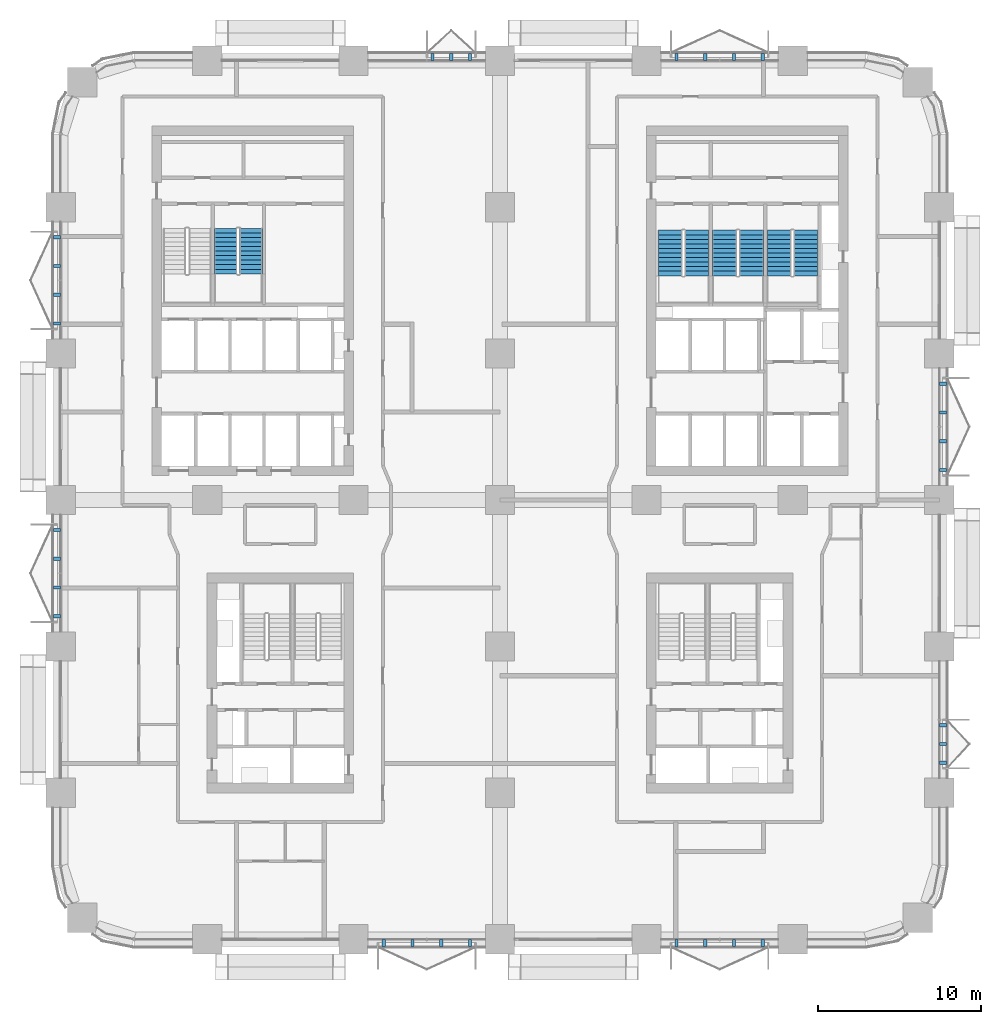
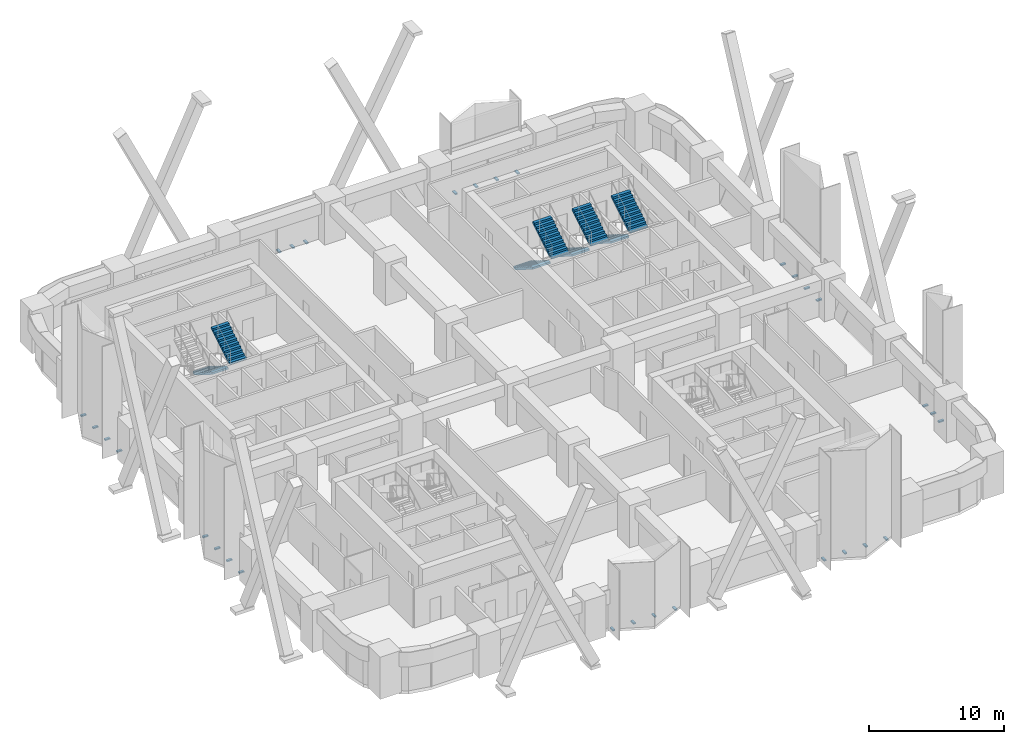
# One storey, part 23 of 26: 30 discrete accessories, 8 stair flights, 4 elements without a shape of their own.
"""IFC4 building model written with IfcOpenShell, lengths in metres."""

from ifc_helpers import new_model, si_unit, direction, frame, origin, origin_2d, place, context, subcontext, project, spatial, polyline, rectangle, outline, extrude, material, type_object, element, aggregate, save


model = new_model("IFC4")

# Units and contexts
model_context = context("Model", 3, precision=1e-05, world=origin(), true_north=direction((0.0, 1.0)))
body_context = subcontext(model_context, "Body", "Model", "MODEL_VIEW")
ifc_project = project(units=[si_unit("LENGTHUNIT", "METRE"), si_unit("AREAUNIT", "SQUARE_METRE"), si_unit("VOLUMEUNIT", "CUBIC_METRE"), si_unit("PLANEANGLEUNIT", "RADIAN"), si_unit("MASSUNIT", "GRAM", prefix="KILO")], contexts=[model_context])

# Site, building, storey
site_placement = place(None, origin())
site = spatial("IfcSite", under=ifc_project, at=site_placement, CompositionType="ELEMENT")
building_placement = place(site_placement, origin())
building = spatial("IfcBuilding", under=site, at=building_placement, Name="Tessera Arch", CompositionType="ELEMENT")
storey_placement = place(building_placement, frame((0.0, 0.0, 31.0)))
storey = spatial("IfcBuildingStorey", under=building, at=storey_placement, Name="L05", CompositionType="ELEMENT", Elevation=31.0)

# Stair, stair flights
ifc_material_1 = material(Name="Concrete C40/50", Category="concrete")
stair_type_1 = type_object("IfcStairType", Name="Dogleg stair 1400", PredefinedType="HALF_TURN_STAIR", material=ifc_material_1)
stair_1_placement = place(storey_placement, origin())
stair_1 = element("IfcStair", 1, at=stair_1_placement, inside=storey, type_object=stair_type_1, Name="L05 S2b", PredefinedType="HALF_TURN_STAIR")
ifc_material_2 = material(Name="Concrete C40/50", Category="concrete")
stair_flight_type_1 = type_object("IfcStairFlightType", Name="Stair flight 1400", PredefinedType="STRAIGHT", material=ifc_material_2)
stair_flight_1_placement = place(storey_placement, frame((10.14990234375, 43.699951171875, 0.0), z_axis=(0.0, 0.0, 1.0), x_axis=(0.0, -1.0, 0.0)))
stair_flight_1 = element("IfcStairFlight", 2, at=stair_flight_1_placement, type_object=stair_flight_type_1, Name="S2b flight 1", NumberOfRisers=11, NumberOfTreads=10, PredefinedType="STRAIGHT", RiserHeight=0.172727273, TreadLength=0.28, context=body_context, shape_type="SweptSolid", body=[
    extrude(outline(polyline([(0.0, 0.0), (0.0, 0.172607421875), (0.280029296875, 0.172607421875), (0.280029296875, 0.345458984375), (0.56005859375, 0.345458984375), (0.56005859375, 0.51806640625), (0.840087890625, 0.51806640625), (0.840087890625, 0.69091796875), (1.1201171875, 0.69091796875), (1.1201171875, 0.863525390625), (1.39990234375, 0.863525390625), (1.39990234375, 1.036376953125), (1.679931640625, 1.036376953125), (1.679931640625, 1.208984375), (1.9599609375, 1.208984375), (1.9599609375, 1.3818359375), (2.239990234375, 1.3818359375), (2.239990234375, 1.554443359375), (2.52001953125, 1.554443359375), (2.52001953125, 1.727294921875), (2.800048828125, 1.727294921875), (2.800048828125, 1.89990234375), (2.800048828125, 1.551025390625), (0.285400390625, 0.0), (0.0, 0.0)])), frame((0.0, 0.699951171875, 0.0), z_axis=(0.0, -1.0, 0.0), x_axis=(1.0, 0.0, 0.0)), (0.0, 0.0, 1.0), 1.39990234375),
])
stair_flight_2_placement = place(storey_placement, frame((11.699951171875, 40.89990234375, 1.89990234375), z_axis=(0.0, 0.0, 1.0), x_axis=(0.0, 1.0, 0.0)))
stair_flight_2 = element("IfcStairFlight", 3, at=stair_flight_2_placement, type_object=stair_flight_type_1, Name="S2b flight 2", NumberOfRisers=11, NumberOfTreads=10, PredefinedType="STRAIGHT", RiserHeight=0.172727273, TreadLength=0.28, context=body_context, shape_type="SweptSolid", body=[
    extrude(outline(polyline([(0.0, 0.0), (0.0, 0.172607421875), (0.280029296875, 0.172607421875), (0.280029296875, 0.345458984375), (0.56005859375, 0.345458984375), (0.56005859375, 0.51806640625), (0.840087890625, 0.51806640625), (0.840087890625, 0.69091796875), (1.1201171875, 0.69091796875), (1.1201171875, 0.863525390625), (1.39990234375, 0.863525390625), (1.39990234375, 1.036376953125), (1.679931640625, 1.036376953125), (1.679931640625, 1.208984375), (1.9599609375, 1.208984375), (1.9599609375, 1.3818359375), (2.239990234375, 1.3818359375), (2.239990234375, 1.554443359375), (2.52001953125, 1.554443359375), (2.52001953125, 1.727294921875), (2.800048828125, 1.727294921875), (2.800048828125, 1.89990234375), (2.800048828125, 1.551025390625), (0.285400390625, 0.0), (0.0, 0.0)])), frame((0.0, 0.699951171875, 0.0), z_axis=(0.0, -1.0, 0.0), x_axis=(1.0, 0.0, 0.0)), (0.0, 0.0, 1.0), 1.39990234375),
])
aggregate(stair_1, [stair_flight_1, stair_flight_2])

ifc_material_3 = material(Name="Concrete C40/50", Category="concrete")
stair_type_2 = type_object("IfcStairType", Name="Dogleg stair 1520", PredefinedType="HALF_TURN_STAIR", material=ifc_material_3)
stair_2_placement = place(storey_placement, origin())
stair_2 = element("IfcStair", 4, at=stair_2_placement, inside=storey, type_object=stair_type_2, Name="L05 S1a", PredefinedType="HALF_TURN_STAIR")
ifc_material_4 = material(Name="Concrete C40/50", Category="concrete")
stair_flight_type_2 = type_object("IfcStairFlightType", Name="Stair flight 1520", PredefinedType="STRAIGHT", material=ifc_material_4)
stair_flight_3_placement = place(storey_placement, frame((37.4599609375, 43.580078125, 0.0), z_axis=(0.0, 0.0, 1.0), x_axis=(0.0, -1.0, 0.0)))
stair_flight_3 = element("IfcStairFlight", 5, at=stair_flight_3_placement, type_object=stair_flight_type_2, Name="S1a flight 1", NumberOfRisers=11, NumberOfTreads=10, PredefinedType="STRAIGHT", RiserHeight=0.172727273, TreadLength=0.28, context=body_context, shape_type="SweptSolid", body=[
    extrude(outline(polyline([(0.0, 0.0), (0.0, 0.172607421875), (0.280029296875, 0.172607421875), (0.280029296875, 0.345458984375), (0.56005859375, 0.345458984375), (0.56005859375, 0.51806640625), (0.840087890625, 0.51806640625), (0.840087890625, 0.69091796875), (1.1201171875, 0.69091796875), (1.1201171875, 0.863525390625), (1.39990234375, 0.863525390625), (1.39990234375, 1.036376953125), (1.679931640625, 1.036376953125), (1.679931640625, 1.208984375), (1.9599609375, 1.208984375), (1.9599609375, 1.3818359375), (2.239990234375, 1.3818359375), (2.239990234375, 1.554443359375), (2.52001953125, 1.554443359375), (2.52001953125, 1.727294921875), (2.800048828125, 1.727294921875), (2.800048828125, 1.89990234375), (2.800048828125, 1.551025390625), (0.285400390625, 0.0), (0.0, 0.0)])), frame((0.0, 0.760009765625, 0.0), z_axis=(0.0, -1.0, 0.0), x_axis=(1.0, 0.0, 0.0)), (0.0, 0.0, 1.0), 1.52001953125),
])
stair_flight_4_placement = place(storey_placement, frame((39.090087890625, 40.780029296875, 1.89990234375), z_axis=(0.0, 0.0, 1.0), x_axis=(0.0, 1.0, 0.0)))
stair_flight_4 = element("IfcStairFlight", 6, at=stair_flight_4_placement, type_object=stair_flight_type_2, Name="S1a flight 2", NumberOfRisers=11, NumberOfTreads=10, PredefinedType="STRAIGHT", RiserHeight=0.172727273, TreadLength=0.28, context=body_context, shape_type="SweptSolid", body=[
    extrude(outline(polyline([(0.0, 0.0), (0.0, 0.172607421875), (0.280029296875, 0.172607421875), (0.280029296875, 0.345458984375), (0.56005859375, 0.345458984375), (0.56005859375, 0.51806640625), (0.840087890625, 0.51806640625), (0.840087890625, 0.69091796875), (1.1201171875, 0.69091796875), (1.1201171875, 0.863525390625), (1.39990234375, 0.863525390625), (1.39990234375, 1.036376953125), (1.679931640625, 1.036376953125), (1.679931640625, 1.208984375), (1.9599609375, 1.208984375), (1.9599609375, 1.3818359375), (2.239990234375, 1.3818359375), (2.239990234375, 1.554443359375), (2.52001953125, 1.554443359375), (2.52001953125, 1.727294921875), (2.800048828125, 1.727294921875), (2.800048828125, 1.89990234375), (2.800048828125, 1.551025390625), (0.285400390625, 0.0), (0.0, 0.0)])), frame((0.0, 0.760009765625, 0.0), z_axis=(0.0, -1.0, 0.0), x_axis=(1.0, 0.0, 0.0)), (0.0, 0.0, 1.0), 1.52001953125),
])
aggregate(stair_2, [stair_flight_3, stair_flight_4])

stair_3_placement = place(storey_placement, origin())
stair_3 = element("IfcStair", 7, at=stair_3_placement, inside=storey, type_object=stair_type_2, Name="L05 S1b", PredefinedType="HALF_TURN_STAIR")
stair_flight_5_placement = place(storey_placement, frame((40.81005859375, 43.580078125, 0.0), z_axis=(0.0, 0.0, 1.0), x_axis=(0.0, -1.0, 0.0)))
stair_flight_5 = element("IfcStairFlight", 8, at=stair_flight_5_placement, type_object=stair_flight_type_2, Name="S1b flight 1", NumberOfRisers=11, NumberOfTreads=10, PredefinedType="STRAIGHT", RiserHeight=0.172727273, TreadLength=0.28, context=body_context, shape_type="SweptSolid", body=[
    extrude(outline(polyline([(0.0, 0.0), (0.0, 0.172607421875), (0.280029296875, 0.172607421875), (0.280029296875, 0.345458984375), (0.56005859375, 0.345458984375), (0.56005859375, 0.51806640625), (0.840087890625, 0.51806640625), (0.840087890625, 0.69091796875), (1.1201171875, 0.69091796875), (1.1201171875, 0.863525390625), (1.39990234375, 0.863525390625), (1.39990234375, 1.036376953125), (1.679931640625, 1.036376953125), (1.679931640625, 1.208984375), (1.9599609375, 1.208984375), (1.9599609375, 1.3818359375), (2.239990234375, 1.3818359375), (2.239990234375, 1.554443359375), (2.52001953125, 1.554443359375), (2.52001953125, 1.727294921875), (2.800048828125, 1.727294921875), (2.800048828125, 1.89990234375), (2.800048828125, 1.551025390625), (0.285400390625, 0.0), (0.0, 0.0)])), frame((0.0, 0.760009765625, 0.0), z_axis=(0.0, -1.0, 0.0), x_axis=(1.0, 0.0, 0.0)), (0.0, 0.0, 1.0), 1.52001953125),
])
stair_flight_6_placement = place(storey_placement, frame((42.43994140625, 40.780029296875, 1.89990234375), z_axis=(0.0, 0.0, 1.0), x_axis=(0.0, 1.0, 0.0)))
stair_flight_6 = element("IfcStairFlight", 9, at=stair_flight_6_placement, type_object=stair_flight_type_2, Name="S1b flight 2", NumberOfRisers=11, NumberOfTreads=10, PredefinedType="STRAIGHT", RiserHeight=0.172727273, TreadLength=0.28, context=body_context, shape_type="SweptSolid", body=[
    extrude(outline(polyline([(0.0, 0.0), (0.0, 0.172607421875), (0.280029296875, 0.172607421875), (0.280029296875, 0.345458984375), (0.56005859375, 0.345458984375), (0.56005859375, 0.51806640625), (0.840087890625, 0.51806640625), (0.840087890625, 0.69091796875), (1.1201171875, 0.69091796875), (1.1201171875, 0.863525390625), (1.39990234375, 0.863525390625), (1.39990234375, 1.036376953125), (1.679931640625, 1.036376953125), (1.679931640625, 1.208984375), (1.9599609375, 1.208984375), (1.9599609375, 1.3818359375), (2.239990234375, 1.3818359375), (2.239990234375, 1.554443359375), (2.52001953125, 1.554443359375), (2.52001953125, 1.727294921875), (2.800048828125, 1.727294921875), (2.800048828125, 1.89990234375), (2.800048828125, 1.551025390625), (0.285400390625, 0.0), (0.0, 0.0)])), frame((0.0, 0.760009765625, 0.0), z_axis=(0.0, -1.0, 0.0), x_axis=(1.0, 0.0, 0.0)), (0.0, 0.0, 1.0), 1.52001953125),
])
aggregate(stair_3, [stair_flight_5, stair_flight_6])

stair_4_placement = place(storey_placement, origin())
stair_4 = element("IfcStair", 10, at=stair_4_placement, inside=storey, type_object=stair_type_2, Name="L05 S1c", PredefinedType="HALF_TURN_STAIR")
stair_flight_7_placement = place(storey_placement, frame((44.159912109375, 43.580078125, 0.0), z_axis=(0.0, 0.0, 1.0), x_axis=(0.0, -1.0, 0.0)))
stair_flight_7 = element("IfcStairFlight", 11, at=stair_flight_7_placement, type_object=stair_flight_type_2, Name="S1c flight 1", NumberOfRisers=11, NumberOfTreads=10, PredefinedType="STRAIGHT", RiserHeight=0.172727273, TreadLength=0.28, context=body_context, shape_type="SweptSolid", body=[
    extrude(outline(polyline([(0.0, 0.0), (0.0, 0.172607421875), (0.280029296875, 0.172607421875), (0.280029296875, 0.345458984375), (0.56005859375, 0.345458984375), (0.56005859375, 0.51806640625), (0.840087890625, 0.51806640625), (0.840087890625, 0.69091796875), (1.1201171875, 0.69091796875), (1.1201171875, 0.863525390625), (1.39990234375, 0.863525390625), (1.39990234375, 1.036376953125), (1.679931640625, 1.036376953125), (1.679931640625, 1.208984375), (1.9599609375, 1.208984375), (1.9599609375, 1.3818359375), (2.239990234375, 1.3818359375), (2.239990234375, 1.554443359375), (2.52001953125, 1.554443359375), (2.52001953125, 1.727294921875), (2.800048828125, 1.727294921875), (2.800048828125, 1.89990234375), (2.800048828125, 1.551025390625), (0.285400390625, 0.0), (0.0, 0.0)])), frame((0.0, 0.760009765625, 0.0), z_axis=(0.0, -1.0, 0.0), x_axis=(1.0, 0.0, 0.0)), (0.0, 0.0, 1.0), 1.52001953125),
])
stair_flight_8_placement = place(storey_placement, frame((45.7900390625, 40.780029296875, 1.89990234375), z_axis=(0.0, 0.0, 1.0), x_axis=(0.0, 1.0, 0.0)))
stair_flight_8 = element("IfcStairFlight", 12, at=stair_flight_8_placement, type_object=stair_flight_type_2, Name="S1c flight 2", NumberOfRisers=11, NumberOfTreads=10, PredefinedType="STRAIGHT", RiserHeight=0.172727273, TreadLength=0.28, context=body_context, shape_type="SweptSolid", body=[
    extrude(outline(polyline([(0.0, 0.0), (0.0, 0.172607421875), (0.280029296875, 0.172607421875), (0.280029296875, 0.345458984375), (0.56005859375, 0.345458984375), (0.56005859375, 0.51806640625), (0.840087890625, 0.51806640625), (0.840087890625, 0.69091796875), (1.1201171875, 0.69091796875), (1.1201171875, 0.863525390625), (1.39990234375, 0.863525390625), (1.39990234375, 1.036376953125), (1.679931640625, 1.036376953125), (1.679931640625, 1.208984375), (1.9599609375, 1.208984375), (1.9599609375, 1.3818359375), (2.239990234375, 1.3818359375), (2.239990234375, 1.554443359375), (2.52001953125, 1.554443359375), (2.52001953125, 1.727294921875), (2.800048828125, 1.727294921875), (2.800048828125, 1.89990234375), (2.800048828125, 1.551025390625), (0.285400390625, 0.0), (0.0, 0.0)])), frame((0.0, 0.760009765625, 0.0), z_axis=(0.0, -1.0, 0.0), x_axis=(1.0, 0.0, 0.0)), (0.0, 0.0, 1.0), 1.52001953125),
])
aggregate(stair_4, [stair_flight_7, stair_flight_8])

# Discrete accessories
for number, where, z_axis, x_axis, name in (
    (13, (-0.219970703125, 25.14990234375, -0.1201171875), (0.0, 0.0, 1.0), (-1.0, 0.0, 0.0), "Window box bracket"),
    (14, (-0.219970703125, 23.38330078125, -0.1201171875), (0.0, 0.0, 1.0), (-1.0, 0.0, 0.0), "Window box bracket"),
    (15, (-0.219970703125, 21.61669921875, -0.1201171875), (0.0, 0.0, 1.0), (-1.0, 0.0, 0.0), "Window box bracket"),
    (16, (-0.219970703125, 19.85009765625, -0.1201171875), (0.0, 0.0, 1.0), (-1.0, 0.0, 0.0), "Window box bracket"),
    (17, (37.85009765625, -0.219970703125, -0.1201171875), (0.0, 0.0, 1.0), (0.0, -1.0, 0.0), "Window box bracket"),
    (18, (39.61669921875, -0.219970703125, -0.1201171875), (0.0, 0.0, 1.0), (0.0, -1.0, 0.0), "Window box bracket"),
    (19, (41.38330078125, -0.219970703125, -0.1201171875), (0.0, 0.0, 1.0), (0.0, -1.0, 0.0), "Window box bracket"),
    (20, (43.14990234375, -0.219970703125, -0.1201171875), (0.0, 0.0, 1.0), (0.0, -1.0, 0.0), "Window box bracket"),
    (21, (54.219970703125, 10.85009765625, -0.1201171875), (0.0, 0.0, 1.0), (1.0, 0.0, 0.0), "Window box bracket"),
    (22, (54.219970703125, 12.0, -0.1201171875), (0.0, 0.0, 1.0), (1.0, 0.0, 0.0), "Window box bracket"),
    (23, (54.219970703125, 13.14990234375, -0.1201171875), (0.0, 0.0, 1.0), (1.0, 0.0, 0.0), "Window box bracket"),
    (24, (19.85009765625, -0.219970703125, -0.1201171875), (0.0, 0.0, 1.0), (0.0, -1.0, 0.0), "Window box bracket"),
    (25, (21.61669921875, -0.219970703125, -0.1201171875), (0.0, 0.0, 1.0), (0.0, -1.0, 0.0), "Window box bracket"),
    (26, (23.38330078125, -0.219970703125, -0.1201171875), (0.0, 0.0, 1.0), (0.0, -1.0, 0.0), "Window box bracket"),
    (27, (25.14990234375, -0.219970703125, -0.1201171875), (0.0, 0.0, 1.0), (0.0, -1.0, 0.0), "Window box bracket"),
    (28, (43.14990234375, 54.219970703125, -0.1201171875), (0.0, 0.0, 1.0), (0.0, 1.0, 0.0), "Window box bracket"),
    (29, (41.38330078125, 54.219970703125, -0.1201171875), (0.0, 0.0, 1.0), (0.0, 1.0, 0.0), "Window box bracket"),
    (30, (39.61669921875, 54.219970703125, -0.1201171875), (0.0, 0.0, 1.0), (0.0, 1.0, 0.0), "Window box bracket"),
    (31, (37.85009765625, 54.219970703125, -0.1201171875), (0.0, 0.0, 1.0), (0.0, 1.0, 0.0), "Window box bracket"),
    (32, (54.219970703125, 28.85009765625, -0.1201171875), (0.0, 0.0, 1.0), (1.0, 0.0, 0.0), "Window box bracket"),
    (33, (54.219970703125, 30.61669921875, -0.1201171875), (0.0, 0.0, 1.0), (1.0, 0.0, 0.0), "Window box bracket"),
    (34, (54.219970703125, 32.38330078125, -0.1201171875), (0.0, 0.0, 1.0), (1.0, 0.0, 0.0), "Window box bracket"),
    (35, (54.219970703125, 34.14990234375, -0.1201171875), (0.0, 0.0, 1.0), (1.0, 0.0, 0.0), "Window box bracket"),
    (36, (25.14990234375, 54.219970703125, -0.1201171875), (0.0, 0.0, 1.0), (0.0, 1.0, 0.0), "Window box bracket"),
    (37, (24.0, 54.219970703125, -0.1201171875), (0.0, 0.0, 1.0), (0.0, 1.0, 0.0), "Window box bracket"),
    (38, (22.85009765625, 54.219970703125, -0.1201171875), (0.0, 0.0, 1.0), (0.0, 1.0, 0.0), "Window box bracket"),
    (39, (-0.219970703125, 43.14990234375, -0.1201171875), (0.0, 0.0, 1.0), (-1.0, 0.0, 0.0), "Window box bracket"),
    (40, (-0.219970703125, 41.38330078125, -0.1201171875), (0.0, 0.0, 1.0), (-1.0, 0.0, 0.0), "Window box bracket"),
    (41, (-0.219970703125, 39.61669921875, -0.1201171875), (0.0, 0.0, 1.0), (-1.0, 0.0, 0.0), "Window box bracket"),
    (42, (-0.219970703125, 37.85009765625, -0.1201171875), (0.0, 0.0, 1.0), (-1.0, 0.0, 0.0), "Window box bracket"),
):
    element("IfcDiscreteAccessory", number, at=place(storey_placement, frame(where, z_axis=z_axis, x_axis=x_axis)), inside=storey, Name=name, PredefinedType="BRACKET", context=body_context, shape_type="SweptSolid", body=[
        extrude(rectangle(XDim=0.43994140625, YDim=0.199951171875, at=origin_2d()), origin(), (0.0, 0.0, 1.0), 0.1201171875),
    ])

save(model, "model.ifc")
